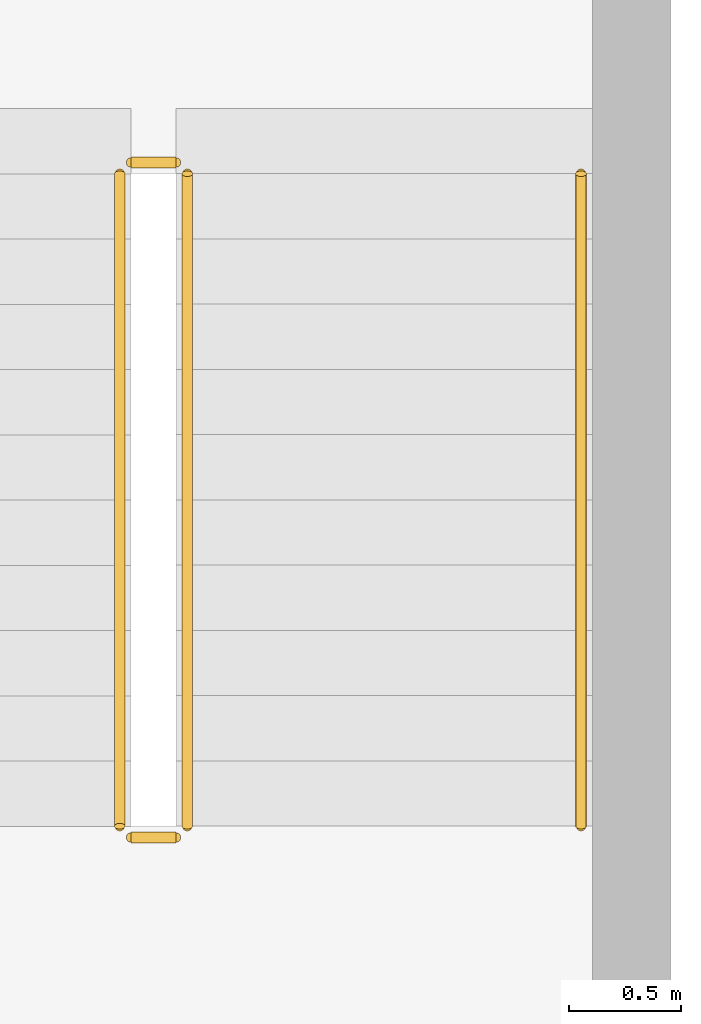
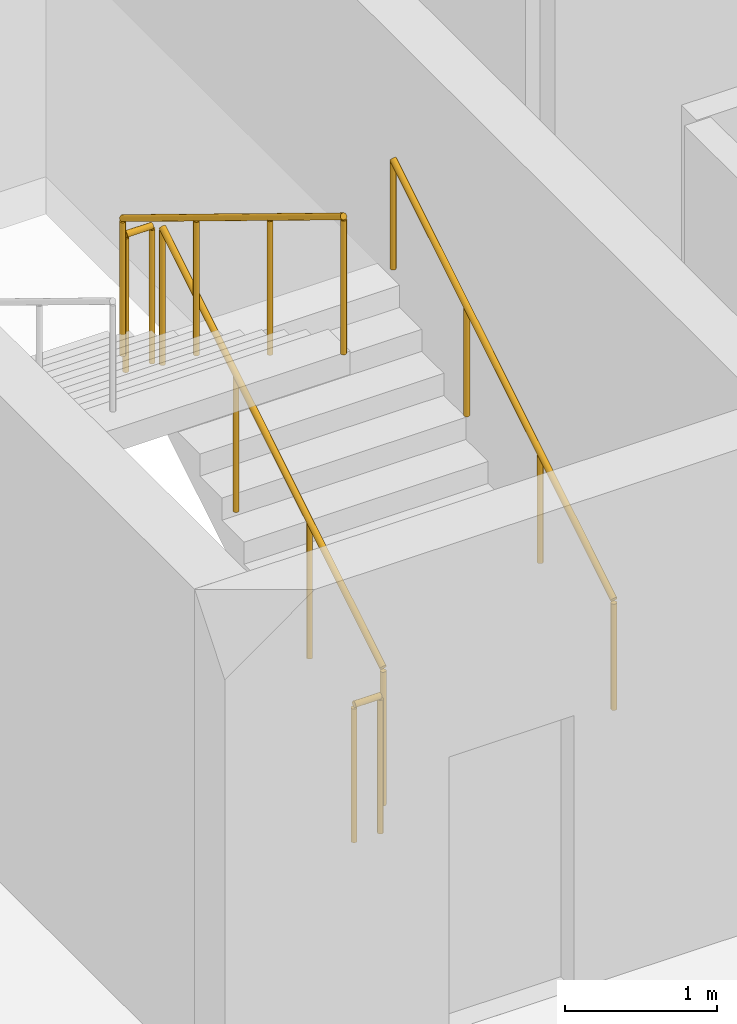
# One storey, part 58 of 59: 5 railings.
"""IFC4 building model written with IfcOpenShell, lengths in metres."""

from ifc_helpers import new_model, si_unit, direction, frame, origin, origin_2d, place, context, subcontext, project, spatial, circle, extrude, material, type_object, element, save


model = new_model("IFC4")

# Units and contexts
model_context = context("Model", 3, precision=1e-05, world=origin(), true_north=direction((0.0, 1.0)))
body_context = subcontext(model_context, "Body", "Model", "MODEL_VIEW")
ifc_project = project(units=[si_unit("LENGTHUNIT", "METRE"), si_unit("AREAUNIT", "SQUARE_METRE"), si_unit("VOLUMEUNIT", "CUBIC_METRE"), si_unit("PLANEANGLEUNIT", "RADIAN"), si_unit("MASSUNIT", "GRAM", prefix="KILO")], contexts=[model_context])

# Site, building, storey
site_placement = place(None, origin())
site = spatial("IfcSite", under=ifc_project, at=site_placement, CompositionType="ELEMENT")
building_placement = place(site_placement, origin())
building = spatial("IfcBuilding", under=site, at=building_placement, Name="Sollismere Congress Hotel", CompositionType="ELEMENT")
storey_placement = place(building_placement, frame((0.0, 0.0, 15.60009765625)))
storey = spatial("IfcBuildingStorey", under=building, at=storey_placement, Name="L03", CompositionType="ELEMENT", Elevation=15.60009765625)

# Railings
ifc_material_1 = material(Name="Steel ASTM A500 Grade C", Category="steel")
railing_type_1 = type_object("IfcRailingType", Name="RL-GRD112", PredefinedType="GUARDRAIL", material=ifc_material_1)
railing_1_placement = place(storey_placement, frame((78.699951171875, 78.449951171875, 0.17724609375)))
element("IfcRailing", 1, at=railing_1_placement, inside=storey, type_object=railing_type_1, Name="RLG-RG-ST-04-L03-1", PredefinedType="GUARDRAIL", context=body_context, shape_type="SweptSolid", body=[
    extrude(circle(Radius=0.02392578125, at=origin_2d()), frame((0.0, 0.0, 1.09619140625), z_axis=(0.0, 0.853230340181, 0.521534262148), x_axis=(-1.0, 0.0, 0.0)), (0.0, 0.0, 1.0), 3.39892578125),
    extrude(circle(Radius=0.02099609375, at=origin_2d()), origin(), (0.0, 0.0, 1.0), 1.072021484375),
    extrude(circle(Radius=0.02099609375, at=origin_2d()), frame((0.0, 0.966796875, 0.5908203125)), (0.0, 0.0, 1.0), 1.072021484375),
    extrude(circle(Radius=0.02099609375, at=origin_2d()), frame((0.0, 1.933349609375, 1.181884765625)), (0.0, 0.0, 1.0), 1.072021484375),
    extrude(circle(Radius=0.02099609375, at=origin_2d()), frame((0.0, 2.900146484375, 1.772705078125)), (0.0, 0.0, 1.0), 1.072021484375),
])
railing_2_placement = place(storey_placement, frame((78.64990234375, 81.39990234375, 1.949951171875)))
element("IfcRailing", 2, at=railing_2_placement, inside=storey, type_object=railing_type_1, Name="RLG-RG-ST-04-L03-2", PredefinedType="GUARDRAIL", context=body_context, shape_type="SweptSolid", body=[
    extrude(circle(Radius=0.02392578125, at=origin_2d()), frame((0.0, 0.0, 1.09619140625), z_axis=(-1.0, 0.0, 0.0), x_axis=(0.0, -1.0, 0.0)), (0.0, 0.0, 1.0), 0.199951171875),
    extrude(circle(Radius=0.02099609375, at=origin_2d()), origin(), (0.0, 0.0, 1.0), 1.072021484375),
    extrude(circle(Radius=0.02099609375, at=origin_2d()), frame((-0.199951171875, 0.0, 0.0)), (0.0, 0.0, 1.0), 1.072021484375),
])
railing_3_placement = place(storey_placement, frame((78.39990234375, 81.35009765625, 2.127197265625)))
element("IfcRailing", 3, at=railing_3_placement, inside=storey, type_object=railing_type_1, Name="RLG-RG-ST-04-L03-3", PredefinedType="GUARDRAIL", context=body_context, shape_type="SweptSolid", body=[
    extrude(circle(Radius=0.02392578125, at=origin_2d()), frame((0.0, 0.0, 1.09619140625), z_axis=(0.0, -0.853230340181, 0.521534262148), x_axis=(1.0, 0.0, 0.0)), (0.0, 0.0, 1.0), 3.39892578125),
    extrude(circle(Radius=0.02099609375, at=origin_2d()), origin(), (0.0, 0.0, 1.0), 1.072021484375),
    extrude(circle(Radius=0.02099609375, at=origin_2d()), frame((0.0, -0.966796875, 0.5908203125)), (0.0, 0.0, 1.0), 1.072021484375),
    extrude(circle(Radius=0.02099609375, at=origin_2d()), frame((0.0, -1.933349609375, 1.181884765625)), (0.0, 0.0, 1.0), 1.072021484375),
    extrude(circle(Radius=0.02099609375, at=origin_2d()), frame((0.0, -2.900146484375, 1.772705078125)), (0.0, 0.0, 1.0), 1.072021484375),
])
railing_4_placement = place(storey_placement, frame((78.64990234375, 78.39990234375, 0.0)))
element("IfcRailing", 4, at=railing_4_placement, inside=storey, type_object=railing_type_1, Name="RLG-RG-ST-04-L03-4", PredefinedType="GUARDRAIL", context=body_context, shape_type="SweptSolid", body=[
    extrude(circle(Radius=0.02392578125, at=origin_2d()), frame((0.0, 0.0, 1.09619140625), z_axis=(-1.0, 0.0, 0.0), x_axis=(0.0, -1.0, 0.0)), (0.0, 0.0, 1.0), 0.199951171875),
    extrude(circle(Radius=0.02099609375, at=origin_2d()), origin(), (0.0, 0.0, 1.0), 1.072021484375),
    extrude(circle(Radius=0.02099609375, at=origin_2d()), frame((-0.199951171875, 0.0, 0.0)), (0.0, 0.0, 1.0), 1.072021484375),
])
ifc_material_2 = material(Name="Brushed Architectural Bronze")
railing_type_2 = type_object("IfcRailingType", Name="RL-HND90", PredefinedType="HANDRAIL", material=ifc_material_2)
railing_5_placement = place(storey_placement, frame((80.449951171875, 78.449951171875, 0.33056640625)))
element("IfcRailing", 5, at=railing_5_placement, inside=storey, type_object=railing_type_2, Name="RLG-RH-ST-04-L03-1", PredefinedType="HANDRAIL", context=body_context, shape_type="SweptSolid", body=[
    extrude(circle(Radius=0.02392578125, at=origin_2d()), frame((0.0, 0.0, 0.8759765625), z_axis=(0.0, 0.853230340181, 0.521534262148), x_axis=(-1.0, 0.0, 0.0)), (0.0, 0.0, 1.0), 3.39892578125),
    extrude(circle(Radius=0.02099609375, at=origin_2d()), origin(), (0.0, 0.0, 1.0), 0.851806640625),
    extrude(circle(Radius=0.02099609375, at=origin_2d()), frame((0.0, 0.966796875, 0.5908203125)), (0.0, 0.0, 1.0), 0.851806640625),
    extrude(circle(Radius=0.02099609375, at=origin_2d()), frame((0.0, 1.933349609375, 1.181884765625)), (0.0, 0.0, 1.0), 0.851806640625),
    extrude(circle(Radius=0.02099609375, at=origin_2d()), frame((0.0, 2.900146484375, 1.772705078125)), (0.0, 0.0, 1.0), 0.851806640625),
])

save(model, "model.ifc")
